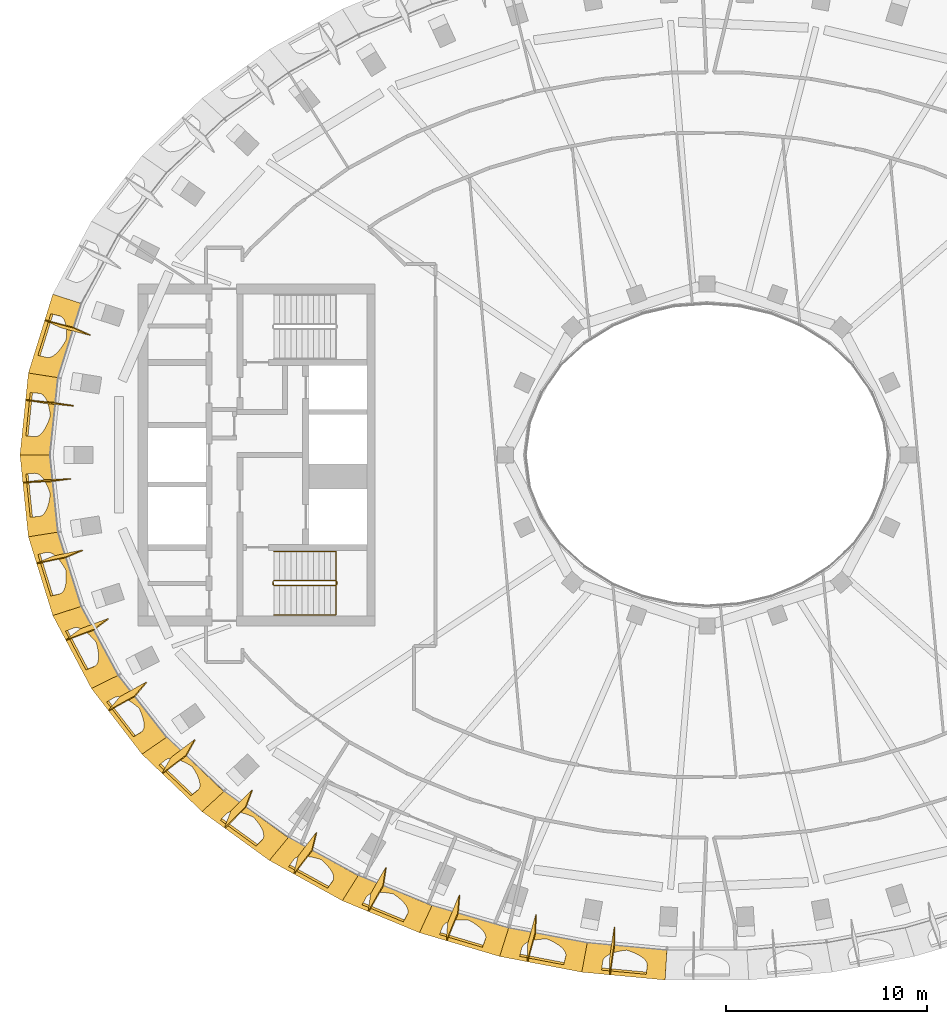
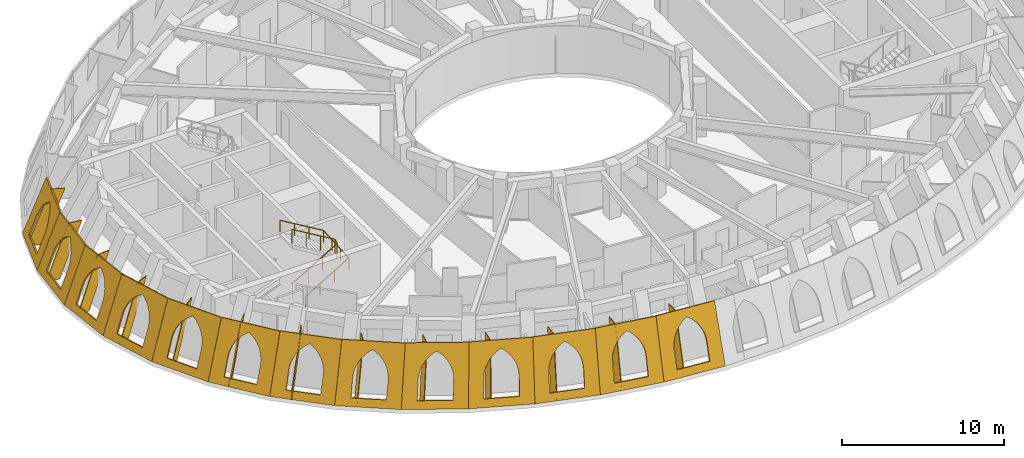
# One storey, part 11 of 14: 26 coverings, 2 railings.
"""IFC4 building model written with IfcOpenShell, lengths in metres."""

from ifc_helpers import new_model, si_unit, direction, frame, origin, origin_2d, place, context, subcontext, project, spatial, polyline, rectangle, outline, extrude, material, layer, layer_set, type_object, element, save


model = new_model("IFC4")

# Units and contexts
model_context = context("Model", 3, precision=1e-05, world=origin(), true_north=direction((0.0, 1.0)))
body_context = subcontext(model_context, "Body", "Model", "MODEL_VIEW")
ifc_project = project(units=[si_unit("LENGTHUNIT", "METRE"), si_unit("AREAUNIT", "SQUARE_METRE"), si_unit("VOLUMEUNIT", "CUBIC_METRE"), si_unit("PLANEANGLEUNIT", "RADIAN"), si_unit("MASSUNIT", "GRAM", prefix="KILO")], contexts=[model_context])

# Site, building, storey
site_placement = place(None, origin())
site = spatial("IfcSite", under=ifc_project, at=site_placement, CompositionType="ELEMENT")
building_placement = place(site_placement, origin())
building = spatial("IfcBuilding", under=site, at=building_placement, Name="Noorbagh Ring Tower", CompositionType="ELEMENT")
storey_placement = place(building_placement, frame((0.0, 0.0, 343.0)))
storey = spatial("IfcBuildingStorey", under=building, at=storey_placement, Name="L75", CompositionType="ELEMENT", Elevation=343.0)

# Railings
ifc_material_1 = material(Name="Stainless steel", Category="steel")
railing_type_1 = type_object("IfcRailingType", Name="CORE-STAIR-GUARD", PredefinedType="GUARDRAIL", material=ifc_material_1)
railing_1_placement = place(storey_placement, frame((-21.580078125, -6.449951171875, 0.0)))
element("IfcRailing", 1, at=railing_1_placement, inside=storey, type_object=railing_type_1, Name="L75 ST2 stair guard", PredefinedType="GUARDRAIL", context=body_context, shape_type="SweptSolid", body=[
    extrude(rectangle(XDim=0.048095703125, YDim=0.048095703125, at=origin_2d()), frame((0.0, 0.0, 1.076171875), z_axis=(0.0, 1.0, 0.0), x_axis=(-1.0, 0.0, 0.0)), (0.0, 0.0, 1.0), 0.14990234375),
    extrude(rectangle(XDim=0.048095703125, YDim=0.048095703125, at=origin_2d()), frame((0.0, 0.14990234375, 1.076171875), z_axis=(0.188775798145, -0.754182335027, 0.628945707965), x_axis=(0.970072785993, 0.242814311512, 0.0)), (0.0, 0.0, 1.0), 0.26513671875),
    extrude(rectangle(XDim=0.048095703125, YDim=0.048095703125, at=origin_2d()), frame((0.050048828125, -0.050048828125, 1.24267578125), z_axis=(0.859308565015, 0.0, 0.511457515432), x_axis=(0.0, 1.0, 0.0)), (0.0, 0.0, 1.0), 3.58447265625),
    extrude(rectangle(XDim=0.048095703125, YDim=0.048095703125, at=origin_2d()), frame((3.130126953125, -0.050048828125, 3.076171875), z_axis=(0.707106781187, 0.707106781187, 0.0), x_axis=(-0.707106781187, 0.707106781187, 0.0)), (0.0, 0.0, 1.0), 0.07080078125),
    extrude(rectangle(XDim=0.048095703125, YDim=0.048095703125, at=origin_2d()), frame((3.18017578125, 0.0, 3.076171875), z_axis=(0.0, 1.0, 0.0), x_axis=(-1.0, 0.0, 0.0)), (0.0, 0.0, 1.0), 0.14990234375),
    extrude(rectangle(XDim=0.048095703125, YDim=0.048095703125, at=origin_2d()), frame((3.18017578125, 0.14990234375, 3.076171875), z_axis=(-0.27628659633, 0.27628659633, 0.920506074601), x_axis=(-0.707106781187, -0.707106781187, 0.0)), (0.0, 0.0, 1.0), 0.18115234375),
    extrude(rectangle(XDim=0.048095703125, YDim=0.048095703125, at=origin_2d()), frame((3.130126953125, 0.199951171875, 3.24267578125), z_axis=(-0.859308565015, 0.0, 0.511457515432), x_axis=(0.0, -1.0, 0.0)), (0.0, 0.0, 1.0), 3.58447265625),
    extrude(rectangle(XDim=0.0419921875, YDim=0.0419921875, at=origin_2d()), origin(), (0.0, 0.0, 1.0), 1.052001953125),
    extrude(rectangle(XDim=0.0419921875, YDim=0.0419921875, at=origin_2d()), frame((1.07666015625, -0.050048828125, 0.77783203125)), (0.0, 0.0, 1.0), 1.052001953125),
    extrude(rectangle(XDim=0.0419921875, YDim=0.0419921875, at=origin_2d()), frame((2.103515625, -0.050048828125, 1.388916015625)), (0.0, 0.0, 1.0), 1.052001953125),
    extrude(rectangle(XDim=0.0419921875, YDim=0.0419921875, at=origin_2d()), frame((3.130126953125, -0.050048828125, 2.0)), (0.0, 0.0, 1.0), 1.052001953125),
    extrude(rectangle(XDim=0.0419921875, YDim=0.0419921875, at=origin_2d()), frame((3.130126953125, 0.199951171875, 2.166748046875)), (0.0, 0.0, 1.0), 1.052001953125),
    extrude(rectangle(XDim=0.0419921875, YDim=0.0419921875, at=origin_2d()), frame((2.103515625, 0.199951171875, 2.77783203125)), (0.0, 0.0, 1.0), 1.052001953125),
    extrude(rectangle(XDim=0.0419921875, YDim=0.0419921875, at=origin_2d()), frame((1.07666015625, 0.199951171875, 3.388916015625)), (0.0, 0.0, 1.0), 1.052001953125),
    extrude(rectangle(XDim=0.0419921875, YDim=0.0419921875, at=origin_2d()), frame((0.050048828125, 0.199951171875, 4.0)), (0.0, 0.0, 1.0), 1.052001953125),
])
ifc_material_2 = material(Name="Stainless steel", Category="steel")
railing_type_2 = type_object("IfcRailingType", Name="CORE-STAIR-HANDRAIL", PredefinedType="HANDRAIL", material=ifc_material_2)
railing_2_placement = place(storey_placement, frame((-21.530029296875, -7.949951171875, 0.166748046875)))
element("IfcRailing", 2, at=railing_2_placement, inside=storey, type_object=railing_type_2, Name="L75 ST2 stair handrail", PredefinedType="HANDRAIL", context=body_context, shape_type="SweptSolid", body=[
    extrude(rectangle(XDim=0.048095703125, YDim=0.048095703125, at=origin_2d()), frame((0.0, 0.0, 0.8759765625), z_axis=(0.859308565015, 0.0, 0.511457515432), x_axis=(0.0, 1.0, 0.0)), (0.0, 0.0, 1.0), 3.58447265625),
    extrude(rectangle(XDim=0.048095703125, YDim=0.048095703125, at=origin_2d()), frame((3.080078125, 0.0, 2.708984375), z_axis=(0.0, 0.998601747152, 0.052863509014), x_axis=(-1.0, 0.0, 0.0)), (0.0, 0.0, 1.0), 3.154296875),
    extrude(rectangle(XDim=0.048095703125, YDim=0.048095703125, at=origin_2d()), frame((3.080078125, 3.14990234375, 2.8759765625), z_axis=(-0.859308565015, 0.0, 0.511457515432), x_axis=(0.0, -1.0, 0.0)), (0.0, 0.0, 1.0), 3.58447265625),
    extrude(rectangle(XDim=0.0419921875, YDim=0.0419921875, at=origin_2d()), origin(), (0.0, 0.0, 1.0), 0.851806640625),
    extrude(rectangle(XDim=0.0419921875, YDim=0.0419921875, at=origin_2d()), frame((1.026611328125, 0.0, 0.611083984375)), (0.0, 0.0, 1.0), 0.851806640625),
    extrude(rectangle(XDim=0.0419921875, YDim=0.0419921875, at=origin_2d()), frame((2.053466796875, 0.0, 1.22216796875)), (0.0, 0.0, 1.0), 0.851806640625),
    extrude(rectangle(XDim=0.0419921875, YDim=0.0419921875, at=origin_2d()), frame((3.080078125, 0.0, 1.833251953125)), (0.0, 0.0, 1.0), 0.851806640625),
    extrude(rectangle(XDim=0.0419921875, YDim=0.0419921875, at=origin_2d()), frame((3.080078125, 1.050048828125, 1.888916015625)), (0.0, 0.0, 1.0), 0.851806640625),
    extrude(rectangle(XDim=0.0419921875, YDim=0.0419921875, at=origin_2d()), frame((3.080078125, 2.099853515625, 1.9443359375)), (0.0, 0.0, 1.0), 0.851806640625),
    extrude(rectangle(XDim=0.0419921875, YDim=0.0419921875, at=origin_2d()), frame((3.080078125, 3.14990234375, 2.0)), (0.0, 0.0, 1.0), 0.851806640625),
    extrude(rectangle(XDim=0.0419921875, YDim=0.0419921875, at=origin_2d()), frame((2.053466796875, 3.14990234375, 2.611083984375)), (0.0, 0.0, 1.0), 0.851806640625),
    extrude(rectangle(XDim=0.0419921875, YDim=0.0419921875, at=origin_2d()), frame((1.026611328125, 3.14990234375, 3.22216796875)), (0.0, 0.0, 1.0), 0.851806640625),
    extrude(rectangle(XDim=0.0419921875, YDim=0.0419921875, at=origin_2d()), frame((0.0, 3.14990234375, 3.833251953125)), (0.0, 0.0, 1.0), 0.851806640625),
])

# Coverings
ifc_material_3 = material(Name="Aluminium 6063-T6 black anodised", Category="aluminium")
ifc_layer_1 = layer(ifc_material_3, 0.050048828125)
ifc_layer_set_1 = layer_set([ifc_layer_1], Name="Aluminium 6063-T6 black anodised")
covering_type_1 = type_object("IfcCoveringType", Name="STYLE-HEAD-FIN", PredefinedType="CLADDING", material=ifc_layer_set_1)
covering_1_placement = place(storey_placement, frame((-32.931396484375, 6.681396484375, 0.0), z_axis=(-0.406880091467, -0.911519725709, 0.059836283407), x_axis=(0.339042966947, -0.089866424226, 0.936468842173)))
element("IfcCovering", 3, at=covering_1_placement, inside=storey, type_object=covering_type_1, Name="Fin rib F22 L75", ObjectType="FIN", PredefinedType="CLADDING", context=body_context, shape_type="SweptSolid", body=[
    extrude(outline(polyline([(0.0, 0.0), (4.269532714398739, 0.0), (4.581104490749276, -0.8442211413685019), (0.3115937163955137, -0.8443191192979982), (0.0, 0.0)])), origin(), (0.0, 0.0, -1.0), 0.050048828125),
])
covering_2_placement = place(storey_placement, frame((-33.8798828125, 2.714599609375, 0.0), z_axis=(-0.150280862309, -0.988490004066, 0.017411900693), x_axis=(0.34811913922, -0.036424423732, 0.936742401231)))
element("IfcCovering", 4, at=covering_2_placement, inside=storey, type_object=covering_type_1, Name="Fin rib F23 L75", ObjectType="FIN", PredefinedType="CLADDING", context=body_context, shape_type="SweptSolid", body=[
    extrude(outline(polyline([(0.0, 0.0), (4.269596116811338, 0.0), (4.5842263106746755, -0.8430752057862894), (0.3146301938633366, -0.8430752057862895), (0.0, 0.0)])), origin(), (0.0, 0.0, -1.0), 0.050048828125),
])
covering_3_placement = place(storey_placement, frame((-34.018798828125, -1.357421875, 0.0), z_axis=(-0.126888766467, 0.991521835409, 0.027994478933), x_axis=(0.348820891966, 0.018184433384, 0.937012973075)))
element("IfcCovering", 5, at=covering_3_placement, inside=storey, type_object=covering_type_1, Name="Fin rib F24 L75", ObjectType="FIN", PredefinedType="CLADDING", context=body_context, shape_type="SweptSolid", body=[
    extrude(outline(polyline([(0.0, 0.0), (4.269405436428957, 0.0), (4.582918209071511, 0.843739407105667), (0.31351277264255367, 0.8437394071056665), (0.0, 0.0)])), origin(), (0.0, 0.0, -1.0), 0.050048828125),
])
covering_4_placement = place(storey_placement, frame((-33.336181640625, -5.376708984375, 0.0), z_axis=(-0.386809358776, 0.919467087178, 0.070418715978), x_axis=(0.341156757155, 0.07173898133, 0.937264949524)))
element("IfcCovering", 6, at=covering_4_placement, inside=storey, type_object=covering_type_1, Name="Fin rib F25 L75", ObjectType="FIN", PredefinedType="CLADDING", context=body_context, shape_type="SweptSolid", body=[
    extrude(outline(polyline([(0.0, 0.0), (4.269551616795643, -2.220446049250313e-16), (4.577599874884689, 0.8456007895960724), (0.3080657724887856, 0.8456951662256905), (0.0, 0.0)])), origin(), (0.0, 0.0, -1.0), 0.050048828125),
])
covering_5_placement = place(storey_placement, frame((-31.885986328125, -9.1962890625, 0.0), z_axis=(-0.600715561731, 0.792502164511, 0.105266961286), x_axis=(0.325929504833, 0.122538057694, 0.937419000392)))
element("IfcCovering", 7, at=covering_5_placement, inside=storey, type_object=covering_type_1, Name="Fin rib F26 L75", ObjectType="FIN", PredefinedType="CLADDING", context=body_context, shape_type="SweptSolid", body=[
    extrude(outline(polyline([(0.0, 0.0), (4.269639728421008, -2.220446049250313e-16), (4.570048209789366, 0.8484478204325778), (0.30040848136835774, 0.848447820432578), (0.0, 0.0)])), origin(), (0.0, 0.0, -1.0), 0.050048828125),
])
covering_6_placement = place(storey_placement, frame((-29.76708984375, -12.704345703125, 0.0), z_axis=(-0.757617294657, 0.639550559707, 0.130349976663), x_axis=(0.304079541005, 0.16913638253, 0.937511875577)))
element("IfcCovering", 8, at=covering_6_placement, inside=storey, type_object=covering_type_1, Name="Fin rib F27 L75", ObjectType="FIN", PredefinedType="CLADDING", context=body_context, shape_type="SweptSolid", body=[
    extrude(outline(polyline([(0.0, 0.0), (4.269737580698154, 0.0), (4.562598503084755, 0.8510474928985627), (0.2928609223866008, 0.8510474928985627), (0.0, 0.0)])), origin(), (0.0, 0.0, -1.0), 0.050048828125),
])
covering_7_placement = place(storey_placement, frame((-27.097900390625, -15.831298828125, 0.0), z_axis=(-0.861649934003, 0.486313558765, 0.145115518789), x_axis=(0.276849908007, 0.21076944612, 0.937512863388)))
element("IfcCovering", 9, at=covering_7_placement, inside=storey, type_object=covering_type_1, Name="Fin rib F28 L75", ObjectType="FIN", PredefinedType="CLADDING", context=body_context, shape_type="SweptSolid", body=[
    extrude(outline(polyline([(0.0, 0.0), (4.269742270772707, 0.0), (4.5574455727258725, 0.8529269024780048), (0.28765184456885823, 0.8527198753503453), (0.0, 0.0)])), origin(), (0.0, 0.0, -1.0), 0.050048828125),
])
covering_8_placement = place(storey_placement, frame((-23.9921875, -18.5439453125, 0.0), z_axis=(-0.925064574408, 0.348944334968, 0.149977945939), x_axis=(0.245187139692, 0.247074074302, 0.9374634224)))
element("IfcCovering", 10, at=covering_8_placement, inside=storey, type_object=covering_type_1, Name="Fin rib F29 L75", ObjectType="FIN", PredefinedType="CLADDING", context=body_context, shape_type="SweptSolid", body=[
    extrude(outline(polyline([(0.0, 0.0), (4.269697836987856, 0.0), (4.555622385573899, 0.8533270802348418), (0.28592454858604305, 0.8533270802348417), (0.0, 0.0)])), origin(), (0.0, 0.0, -1.0), 0.050048828125),
])
covering_9_placement = place(storey_placement, frame((-20.54931640625, -20.83203125, 0.0), z_axis=(-0.96089591532, 0.235526861926, 0.145623271603), x_axis=(0.210153800988, 0.27781912387, 0.937364344501)))
element("IfcCovering", 11, at=covering_9_placement, inside=storey, type_object=covering_type_1, Name="Fin rib F30 L75", ObjectType="FIN", PredefinedType="CLADDING", context=body_context, shape_type="SweptSolid", body=[
    extrude(outline(polyline([(0.0, 0.0), (4.269870460270991, -2.220446049250313e-16), (4.557738502439847, 0.8526413154554877), (0.28781673508853595, 0.8525972926154464), (0.0, 0.0)])), origin(), (0.0, 0.0, -1.0), 0.050048828125),
])
covering_10_placement = place(storey_placement, frame((-16.8515625, -22.697998046875, 0.0), z_axis=(-0.98008542161, 0.147886689132, 0.132522049201), x_axis=(0.172442689112, 0.302918225105, 0.937285478321)))
element("IfcCovering", 12, at=covering_10_placement, inside=storey, type_object=covering_type_1, Name="Fin rib F31 L75", ObjectType="FIN", PredefinedType="CLADDING", context=body_context, shape_type="SweptSolid", body=[
    extrude(outline(polyline([(0.0, 0.0), (4.269987488545173, -2.220446049250313e-16), (4.56270731508786, 0.8510313206899811), (0.29271982654268763, 0.8510313206899813), (0.0, 0.0)])), origin(), (0.0, 0.0, -1.0), 0.050048828125),
])
covering_11_placement = place(storey_placement, frame((-12.9658203125, -24.150634765625, 0.0), z_axis=(-0.99020974942, 0.084247358207, 0.111297056513), x_axis=(0.132787177759, 0.322690392381, 0.93714378624)))
element("IfcCovering", 13, at=covering_11_placement, inside=storey, type_object=covering_type_1, Name="Fin rib F32 L75", ObjectType="FIN", PredefinedType="CLADDING", context=body_context, shape_type="SweptSolid", body=[
    extrude(outline(polyline([(0.0, 0.0), (4.270097705471361, 2.220446049250313e-16), (4.569610449087812, 0.8486775241394964), (0.2994803248718809, 0.8486670169623932), (0.0, 0.0)])), origin(), (0.0, 0.0, -1.0), 0.050048828125),
])
covering_12_placement = place(storey_placement, frame((-8.947509765625, -25.198486328125, 0.0), z_axis=(-0.995738000279, 0.040278257647, 0.082966841342), x_axis=(0.091707238003, 0.337036991856, 0.937014326795)))
element("IfcCovering", 14, at=covering_12_placement, inside=storey, type_object=covering_type_1, Name="Fin rib F33 L75", ObjectType="FIN", PredefinedType="CLADDING", context=body_context, shape_type="SweptSolid", body=[
    extrude(outline(polyline([(0.0, 0.0), (4.2701804879360905, -2.220446049250313e-16), (4.576570043470204, 0.8461414015156012), (0.30647183995595295, 0.8463710473729893), (0.0, 0.0)])), origin(), (0.0, 0.0, -1.0), 0.050048828125),
])
covering_13_placement = place(storey_placement, frame((-4.843017578125, -25.849365234375, 0.0), z_axis=(-0.998740259986, 0.010431768858, 0.049082290913), x_axis=(0.049657435536, 0.346086678502, 0.936887479935)))
element("IfcCovering", 15, at=covering_13_placement, inside=storey, type_object=covering_type_1, Name="Fin rib F34 L75", ObjectType="FIN", PredefinedType="CLADDING", context=body_context, shape_type="SweptSolid", body=[
    extrude(outline(polyline([(0.0, 0.0), (4.269983696941542, 0.0), (4.581888599164923, 0.8441715551350804), (0.3119170256207293, 0.8441697940673561), (0.0, 0.0)])), origin(), (0.0, 0.0, -1.0), 0.050048828125),
])
ifc_material_4 = material(Name="Red sandstone jali", Category="masonry")
ifc_layer_2 = layer(ifc_material_4, 0.1201171875)
ifc_layer_set_2 = layer_set([ifc_layer_2], Name="Red sandstone jali")
covering_type_2 = type_object("IfcCoveringType", Name="STYLE-HEAD-SKIN", PredefinedType="CLADDING", material=ifc_layer_set_2)
covering_14_placement = place(storey_placement, frame((-32.526611328125, 7.986328125, 0.0), z_axis=(-0.894495861852, 0.277540809136, 0.350497150335), x_axis=(-0.296339664735, -0.955082615853, -5.75787e-07)))
element("IfcCovering", 16, at=covering_14_placement, inside=storey, type_object=covering_type_2, Name="Head skin panel", ObjectType="HEAD SKIN", PredefinedType="CLADDING", context=body_context, shape_type="SweptSolid", body=[
    extrude(outline(polyline([(0.0, 0.0), (4.0986328125, 0.0), (3.8828125, 4.27099609375), (0.01416015625, 4.27099609375), (0.0, 0.0)]), holes=[polyline([(0.952880859375, 0.550048828125), (0.922607421875, 1.8447265625), (0.934326171875, 2.12744140625), (0.983154296875, 2.405517578125), (1.06787109375, 2.673828125), (1.187255859375, 2.927978515625), (1.339111328125, 3.16357421875), (1.52099609375, 3.376708984375), (1.7294921875, 3.5634765625), (1.96142578125, 3.720947265625), (2.20068359375, 3.5634765625), (2.418212890625, 3.376708984375), (2.610107421875, 3.16357421875), (2.773193359375, 2.927978515625), (2.904541015625, 2.673828125), (3.001953125, 2.405517578125), (3.063720703125, 2.12744140625), (3.089111328125, 1.8447265625), (3.11962890625, 0.550048828125), (0.952880859375, 0.550048828125)])]), origin(), (0.0, 0.0, -1.0), 0.1201171875),
])
covering_15_placement = place(storey_placement, frame((-33.7412109375, 4.07177734375, 0.0), z_axis=(-0.931863593613, 0.095302923998, 0.350067987077), x_axis=(-0.101742940961, -0.994810722663, -6.204207e-06)))
element("IfcCovering", 17, at=covering_15_placement, inside=storey, type_object=covering_type_2, Name="Head skin panel", ObjectType="HEAD SKIN", PredefinedType="CLADDING", context=body_context, shape_type="SweptSolid", body=[
    extrude(outline(polyline([(0.0, 0.0), (4.093017578125, 0.0), (3.940673828125, 4.270263671875), (0.081298828125, 4.270263671875), (0.0, 0.0)]), holes=[polyline([(0.961181640625, 0.550048828125), (0.95068359375, 1.848388671875), (0.966796875, 2.130615234375), (1.01953125, 2.407958984375), (1.108154296875, 2.675537109375), (1.231201171875, 2.92919921875), (1.38623046875, 3.164306640625), (1.57080078125, 3.376708984375), (1.781982421875, 3.563232421875), (2.015625, 3.72021484375), (2.251953125, 3.563232421875), (2.466064453125, 3.376708984375), (2.654296875, 3.164306640625), (2.813232421875, 2.92919921875), (2.9404296875, 2.675537109375), (3.033447265625, 2.407958984375), (3.091064453125, 2.130615234375), (3.11181640625, 1.848388671875), (3.12255859375, 0.550048828125), (0.961181640625, 0.550048828125)])]), origin(), (0.0, 0.0, -1.0), 0.1201171875),
])
covering_16_placement = place(storey_placement, frame((-34.15771484375, 0.0, 0.0), z_axis=(-0.93229361619, -0.095346902977, 0.348909130438), x_axis=(0.101742925715, -0.994810724223, 6.186522e-06)))
element("IfcCovering", 18, at=covering_16_placement, inside=storey, type_object=covering_type_2, Name="Head skin panel", ObjectType="HEAD SKIN", PredefinedType="CLADDING", context=body_context, shape_type="SweptSolid", body=[
    extrude(outline(polyline([(0.0, 0.0), (4.093017578125, 0.0), (4.01171875, 4.268310546875), (0.15234375, 4.268310546875), (0.0, 0.0)]), holes=[polyline([(0.970458984375, 0.550048828125), (0.981201171875, 1.8466796875), (1.002197265625, 2.128662109375), (1.0595703125, 2.406005859375), (1.152587890625, 2.673583984375), (1.27978515625, 2.92724609375), (1.438720703125, 3.162353515625), (1.626953125, 3.374755859375), (1.841064453125, 3.561279296875), (2.077392578125, 3.71826171875), (2.311279296875, 3.561279296875), (2.522216796875, 3.374755859375), (2.706787109375, 3.162353515625), (2.86181640625, 2.92724609375), (2.98486328125, 2.673583984375), (3.073486328125, 2.406005859375), (3.12646484375, 2.128662109375), (3.142578125, 1.8466796875), (3.131591796875, 0.550048828125), (0.970458984375, 0.550048828125)])]), origin(), (0.0, 0.0, -1.0), 0.1201171875),
])
covering_17_placement = place(storey_placement, frame((-33.7412109375, -4.07177734375, 0.0), z_axis=(-0.895637105631, -0.27789490996, 0.347287480389), x_axis=(0.296339660983, -0.955082617017, 5.71243e-07)))
element("IfcCovering", 19, at=covering_17_placement, inside=storey, type_object=covering_type_2, Name="Head skin panel", ObjectType="HEAD SKIN", PredefinedType="CLADDING", context=body_context, shape_type="SweptSolid", body=[
    extrude(outline(polyline([(0.0, 0.0), (4.0986328125, 0.0), (4.084716796875, 4.265380859375), (0.2158203125, 4.265380859375), (0.0, 0.0)]), holes=[polyline([(0.97900390625, 0.550048828125), (1.009521484375, 1.83935546875), (1.03466796875, 2.1220703125), (1.096435546875, 2.39990234375), (1.194091796875, 2.66845703125), (1.3251953125, 2.922607421875), (1.48828125, 3.158203125), (1.68017578125, 3.37109375), (1.897705078125, 3.55810546875), (2.13720703125, 3.715576171875), (2.368896484375, 3.55810546875), (2.57763671875, 3.37109375), (2.759521484375, 3.158203125), (2.911376953125, 2.922607421875), (3.03076171875, 2.66845703125), (3.115478515625, 2.39990234375), (3.164306640625, 2.1220703125), (3.176025390625, 1.83935546875), (3.1455078125, 0.550048828125), (0.97900390625, 0.550048828125)])]), origin(), (0.0, 0.0, -1.0), 0.1201171875),
])
covering_18_placement = place(storey_placement, frame((-32.526611328125, -7.986328125, 0.0), z_axis=(-0.829262779638, -0.439095659371, 0.345714107651), x_axis=(0.467948620743, -0.883755672309, -2.619767e-06)))
element("IfcCovering", 20, at=covering_18_placement, inside=storey, type_object=covering_type_2, Name="Head skin panel", ObjectType="HEAD SKIN", PredefinedType="CLADDING", context=body_context, shape_type="SweptSolid", body=[
    extrude(outline(polyline([(0.0, 0.0), (4.107666015625, 0.0), (4.14794921875, 4.262939453125), (0.26318359375, 4.262939453125), (0.0, 0.0)]), holes=[polyline([(0.985595703125, 0.550048828125), (1.03125, 1.828857421875), (1.059814453125, 2.11279296875), (1.125244140625, 2.391845703125), (1.226318359375, 2.661376953125), (1.361328125, 2.91650390625), (1.52783203125, 3.1533203125), (1.72314453125, 3.3671875), (1.943603515625, 3.5546875), (2.185791015625, 3.712890625), (2.4169921875, 3.5546875), (2.624267578125, 3.3671875), (2.80419921875, 3.1533203125), (2.953857421875, 2.91650390625), (3.07080078125, 2.661376953125), (3.152587890625, 2.391845703125), (3.1982421875, 2.11279296875), (3.206787109375, 1.828857421875), (3.1611328125, 0.550048828125), (0.985595703125, 0.550048828125)])]), origin(), (0.0, 0.0, -1.0), 0.1201171875),
])
covering_19_placement = place(storey_placement, frame((-30.6044921875, -11.616455078125, 0.0), z_axis=(-0.74388041907, -0.572609080552, 0.344616835041), x_axis=(0.609973346137, -0.792421931169, -2.220059e-06)))
element("IfcCovering", 21, at=covering_19_placement, inside=storey, type_object=covering_type_2, Name="Head skin panel", ObjectType="HEAD SKIN", PredefinedType="CLADDING", context=body_context, shape_type="SweptSolid", body=[
    extrude(outline(polyline([(0.0, 0.0), (4.11865234375, 0.0), (4.19482421875, 4.260986328125), (0.291259765625, 4.260986328125), (0.0, 0.0)]), holes=[polyline([(0.989990234375, 0.550048828125), (1.044677734375, 1.818115234375), (1.07568359375, 2.103271484375), (1.1435546875, 2.3837890625), (1.247314453125, 2.654541015625), (1.384765625, 2.910888671875), (1.5537109375, 3.148681640625), (1.751708984375, 3.36376953125), (1.974609375, 3.55224609375), (2.21923828125, 3.7109375), (2.4501953125, 3.55224609375), (2.656982421875, 3.36376953125), (2.836181640625, 3.148681640625), (2.98486328125, 2.910888671875), (3.100341796875, 2.654541015625), (3.180419921875, 2.3837890625), (3.22412109375, 2.103271484375), (3.230712890625, 1.818115234375), (3.17578125, 0.550048828125), (0.989990234375, 0.550048828125)])]), origin(), (0.0, 0.0, -1.0), 0.1201171875),
])
covering_20_placement = place(storey_placement, frame((-28.09228515625, -14.880126953125, 0.0), z_axis=(-0.649002140835, -0.678472470136, 0.344196642139), x_axis=(0.722627286113, -0.691237878997, 2.279216e-06)))
element("IfcCovering", 22, at=covering_20_placement, inside=storey, type_object=covering_type_2, Name="Head skin panel", ObjectType="HEAD SKIN", PredefinedType="CLADDING", context=body_context, shape_type="SweptSolid", body=[
    extrude(outline(polyline([(0.0, 0.0), (4.12890625, 0.0), (4.22265625, 4.26025390625), (0.301025390625, 4.26025390625), (0.0, 0.0)]), holes=[polyline([(0.991943359375, 0.550048828125), (1.05029296875, 1.80859375), (1.082275390625, 2.09521484375), (1.1513671875, 2.376953125), (1.25634765625, 2.64892578125), (1.395263671875, 2.906494140625), (1.56591796875, 3.1455078125), (1.765380859375, 3.361328125), (1.989990234375, 3.55078125), (2.236328125, 3.71044921875), (2.4677734375, 3.55078125), (2.675048828125, 3.361328125), (2.8544921875, 3.1455078125), (3.0029296875, 2.906494140625), (3.117919921875, 2.64892578125), (3.19775390625, 2.376953125), (3.24072265625, 2.09521484375), (3.24609375, 1.80859375), (3.18798828125, 0.550048828125), (0.991943359375, 0.550048828125)])]), origin(), (0.0, 0.0, -1.0), 0.1201171875),
])
covering_21_placement = place(storey_placement, frame((-25.108642578125, -17.734130859375, 0.0), z_axis=(-0.551174687824, -0.759979640364, 0.344437816934), x_axis=(0.809515019405, -0.587099168244, 2.24531e-06)))
element("IfcCovering", 23, at=covering_21_placement, inside=storey, type_object=covering_type_2, Name="Head skin panel", ObjectType="HEAD SKIN", PredefinedType="CLADDING", context=body_context, shape_type="SweptSolid", body=[
    extrude(outline(polyline([(0.0, 0.0), (4.13818359375, 0.0), (4.232421875, 4.2607421875), (0.294921875, 4.2607421875), (0.0, 0.0)]), holes=[polyline([(0.99169921875, 0.550048828125), (1.048828125, 1.801025390625), (1.080810546875, 2.0888671875), (1.14990234375, 2.371826171875), (1.255126953125, 2.64501953125), (1.39453125, 2.90380859375), (1.56591796875, 3.1435546875), (1.76611328125, 3.3603515625), (1.991455078125, 3.550537109375), (2.23876953125, 3.710693359375), (2.47119140625, 3.550537109375), (2.67919921875, 3.3603515625), (2.859619140625, 3.1435546875), (3.0087890625, 2.90380859375), (3.124755859375, 2.64501953125), (3.204833984375, 2.371826171875), (3.248291015625, 2.0888671875), (3.25390625, 1.801025390625), (3.19677734375, 0.550048828125), (0.99169921875, 0.550048828125)])]), origin(), (0.0, 0.0, -1.0), 0.1201171875),
])
covering_22_placement = place(storey_placement, frame((-21.7587890625, -20.16357421875, 0.0), z_axis=(-0.453918687936, -0.821468308815, 0.34517769678), x_axis=(0.875262280598, -0.483648570787, -1.1783775e-05)))
element("IfcCovering", 24, at=covering_22_placement, inside=storey, type_object=covering_type_2, Name="Head skin panel", ObjectType="HEAD SKIN", PredefinedType="CLADDING", context=body_context, shape_type="SweptSolid", body=[
    extrude(outline(polyline([(0.0, 0.0), (4.1455078125, 0.0), (4.2275390625, 4.261962890625), (0.2763671875, 4.261962890625), (0.0, 0.0)]), holes=[polyline([(0.98974609375, 0.550048828125), (1.0419921875, 1.7958984375), (1.072998046875, 2.084716796875), (1.1416015625, 2.368408203125), (1.24609375, 2.642578125), (1.385009765625, 2.902099609375), (1.555908203125, 3.142822265625), (1.755859375, 3.3603515625), (1.981689453125, 3.55126953125), (2.22900390625, 3.7119140625), (2.462890625, 3.55126953125), (2.67236328125, 3.3603515625), (2.85400390625, 3.142822265625), (3.0048828125, 2.902099609375), (3.121826171875, 2.642578125), (3.203369140625, 2.368408203125), (3.247802734375, 2.084716796875), (3.254638671875, 1.7958984375), (3.202392578125, 0.550048828125), (0.98974609375, 0.550048828125)])]), origin(), (0.0, 0.0, -1.0), 0.1201171875),
])
covering_23_placement = place(storey_placement, frame((-18.13037109375, -22.168701171875, 0.0), z_axis=(-0.358896062672, -0.866781697373, 0.346241397436), x_axis=(0.923931180709, -0.382558718776, 1.060909e-06)))
element("IfcCovering", 25, at=covering_23_placement, inside=storey, type_object=covering_type_2, Name="Head skin panel", ObjectType="HEAD SKIN", PredefinedType="CLADDING", context=body_context, shape_type="SweptSolid", body=[
    extrude(outline(polyline([(0.0, 0.0), (4.152099609375, 0.0), (4.210693359375, 4.263671875), (0.248779296875, 4.263671875), (0.0, 0.0)]), holes=[polyline([(0.986328125, 0.550048828125), (1.03125, 1.79248046875), (1.060791015625, 2.08203125), (1.127685546875, 2.36669921875), (1.230712890625, 2.641357421875), (1.368408203125, 2.901611328125), (1.538330078125, 3.14306640625), (1.737548828125, 3.361083984375), (1.962646484375, 3.552490234375), (2.209716796875, 3.713623046875), (2.4453125, 3.552490234375), (2.656494140625, 3.361083984375), (2.840087890625, 3.14306640625), (2.99267578125, 2.901611328125), (3.111572265625, 2.641357421875), (3.19482421875, 2.36669921875), (3.2412109375, 2.08203125), (3.249755859375, 1.79248046875), (3.205078125, 0.550048828125), (0.986328125, 0.550048828125)])]), origin(), (0.0, 0.0, -1.0), 0.1201171875),
])
covering_24_placement = place(storey_placement, frame((-14.294189453125, -23.757080078125, 0.0), z_axis=(-0.266392224877, -0.899112499236, 0.347321027644), x_axis=(0.958801902362, -0.284075539266, 4.330016e-06)))
element("IfcCovering", 26, at=covering_24_placement, inside=storey, type_object=covering_type_2, Name="Head skin panel", ObjectType="HEAD SKIN", PredefinedType="CLADDING", context=body_context, shape_type="SweptSolid", body=[
    extrude(outline(polyline([(0.0, 0.0), (4.15625, 0.0), (4.183837890625, 4.265625), (0.21435546875, 4.265625), (0.0, 0.0)]), holes=[polyline([(0.982421875, 0.550048828125), (1.017578125, 1.790283203125), (1.044677734375, 2.08056640625), (1.109619140625, 2.36572265625), (1.210693359375, 2.64111328125), (1.3466796875, 2.90185546875), (1.515380859375, 3.143798828125), (1.713134765625, 3.3623046875), (1.937255859375, 3.55419921875), (2.18359375, 3.715576171875), (2.4208984375, 3.55419921875), (2.634033203125, 3.3623046875), (2.819580078125, 3.143798828125), (2.97412109375, 2.90185546875), (3.095458984375, 2.64111328125), (3.18115234375, 2.36572265625), (3.229736328125, 2.08056640625), (3.240478515625, 1.790283203125), (3.205322265625, 0.550048828125), (0.982421875, 0.550048828125)])]), origin(), (0.0, 0.0, -1.0), 0.1201171875),
])
covering_25_placement = place(storey_placement, frame((-10.30908203125, -24.937744140625, 0.0), z_axis=(-0.176226407285, -0.92063105875, 0.348400211023), x_axis=(0.982167698932, -0.188006944458, -3.293323e-06)))
element("IfcCovering", 27, at=covering_25_placement, inside=storey, type_object=covering_type_2, Name="Head skin panel", ObjectType="HEAD SKIN", PredefinedType="CLADDING", context=body_context, shape_type="SweptSolid", body=[
    extrude(outline(polyline([(0.0, 0.0), (4.1591796875, 0.0), (4.150390625, 4.267333984375), (0.17529296875, 4.267333984375), (0.0, 0.0)]), holes=[polyline([(0.977294921875, 0.550048828125), (1.001708984375, 1.78955078125), (1.0263671875, 2.080078125), (1.088623046875, 2.36572265625), (1.187744140625, 2.641357421875), (1.321533203125, 2.902587890625), (1.488037109375, 3.144775390625), (1.684326171875, 3.363525390625), (1.906982421875, 3.5556640625), (2.15234375, 3.71728515625), (2.391357421875, 3.5556640625), (2.6064453125, 3.363525390625), (2.794189453125, 3.144775390625), (2.951171875, 2.902587890625), (3.074951171875, 2.641357421875), (3.1630859375, 2.36572265625), (3.21435546875, 2.080078125), (3.227783203125, 1.78955078125), (3.20361328125, 0.550048828125), (0.977294921875, 0.550048828125)])]), origin(), (0.0, 0.0, -1.0), 0.1201171875),
])
covering_26_placement = place(storey_placement, frame((-6.22412109375, -25.7197265625, 0.0), z_axis=(-0.087657312521, -0.93292224724, 0.349245295124), x_axis=(0.995615176068, -0.093543685276, 1.1354645e-05)))
element("IfcCovering", 28, at=covering_26_placement, inside=storey, type_object=covering_type_2, Name="Head skin panel", ObjectType="HEAD SKIN", PredefinedType="CLADDING", context=body_context, shape_type="SweptSolid", body=[
    extrude(outline(polyline([(0.0, 0.0), (4.16162109375, 0.0), (4.112548828125, 4.268798828125), (0.134033203125, 4.268798828125), (0.0, 0.0)]), holes=[polyline([(0.97216796875, 0.550048828125), (0.984619140625, 1.78955078125), (1.00634765625, 2.080322265625), (1.066162109375, 2.3662109375), (1.16259765625, 2.64208984375), (1.2939453125, 2.9033203125), (1.458251953125, 3.145751953125), (1.652587890625, 3.36474609375), (1.873779296875, 3.556884765625), (2.11767578125, 3.718994140625), (2.3583984375, 3.556884765625), (2.575439453125, 3.36474609375), (2.765380859375, 3.145751953125), (2.925048828125, 2.9033203125), (3.05126953125, 2.64208984375), (3.14208984375, 2.3662109375), (3.1962890625, 2.080322265625), (3.21240234375, 1.78955078125), (3.2001953125, 0.550048828125), (0.97216796875, 0.550048828125)])]), origin(), (0.0, 0.0, -1.0), 0.1201171875),
])

save(model, "model.ifc")
